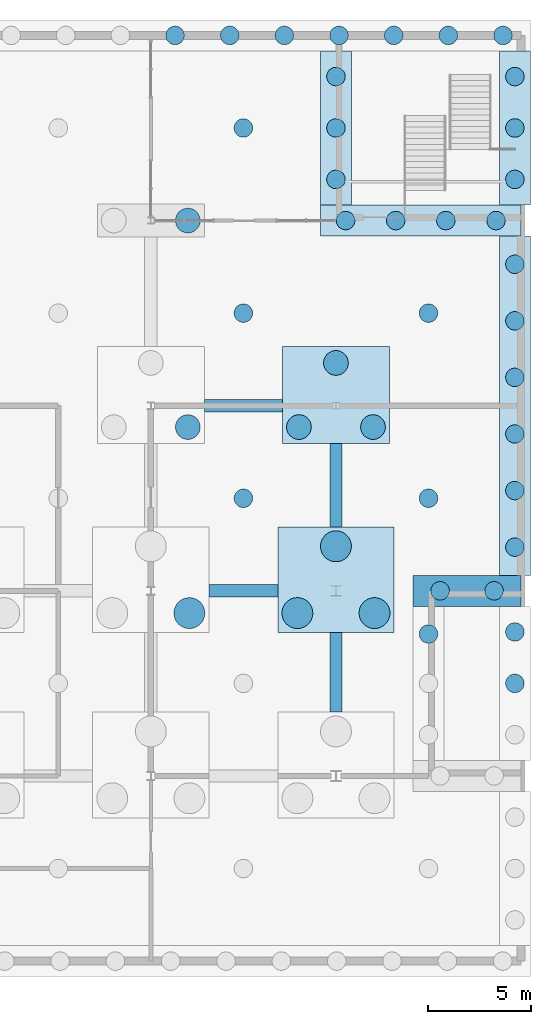
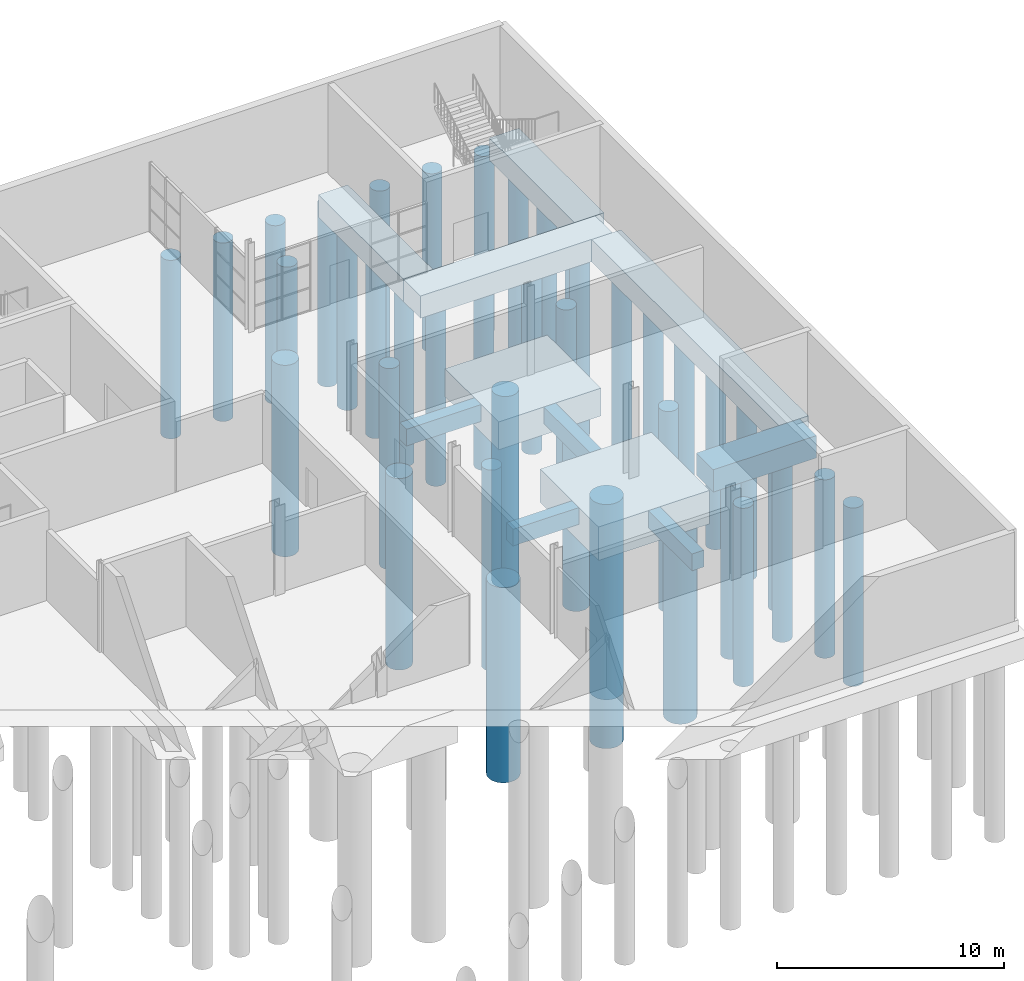
# One storey, part 3 of 17: 42 piles, 11 footings.
"""IFC4 building model written with IfcOpenShell, lengths in metres."""

from ifc_helpers import new_model, si_unit, direction, frame, origin, origin_2d, place, context, subcontext, project, spatial, polyline, circle, outline, extrude, material, material_profile, profile_set, type_object, element, save


model = new_model("IFC4")

# Units and contexts
model_context = context("Model", 3, precision=1e-05, world=origin(), true_north=direction((0.0, 1.0)))
body_context = subcontext(model_context, "Body", "Model", "MODEL_VIEW")
ifc_project = project(units=[si_unit("LENGTHUNIT", "METRE"), si_unit("AREAUNIT", "SQUARE_METRE"), si_unit("VOLUMEUNIT", "CUBIC_METRE"), si_unit("PLANEANGLEUNIT", "RADIAN"), si_unit("MASSUNIT", "GRAM", prefix="KILO")], contexts=[model_context])

# Site, building, storey
site_placement = place(None, origin())
site = spatial("IfcSite", under=ifc_project, at=site_placement, CompositionType="ELEMENT")
building_placement = place(site_placement, origin())
building = spatial("IfcBuilding", under=site, at=building_placement, Name="Halyard Row Museum", CompositionType="ELEMENT")
storey_placement = place(building_placement, frame((0.0, 0.0, -9.60009765625)))
storey = spatial("IfcBuildingStorey", under=building, at=storey_placement, Name="B2", CompositionType="ELEMENT", Elevation=-9.60009765625)

# Piles
ifc_material_1 = material(Name="Concrete 40 MPa", Category="concrete")
ifc_material_profile_1 = material_profile(ifc_material_1, circle(Radius=0.60009765625, at=origin_2d()), Name="Bored pile 1200 x 10.3")
ifc_profile_set_1 = profile_set([ifc_material_profile_1], Name="Concrete 40 MPa")
pile_type_1 = type_object("IfcPileType", Name="Bored pile 1200 x 10.3", PredefinedType="BORED", material=ifc_profile_set_1)
for number, where, z_axis, x_axis, name in (
    (1, (91.800048828125, 43.960693359375, -2.099853515625), (0.0, 0.0, -1.0), (1.0, 0.0, 0.0), "pile:B2:11F:2"),
    (2, (97.199951171875, 43.960693359375, -2.099853515625), (0.0, 0.0, -1.0), (1.0, 0.0, 0.0), "pile:B2:12F:1"),
    (3, (100.800048828125, 43.960693359375, -2.099853515625), (0.0, 0.0, -1.0), (1.0, 0.0, 0.0), "pile:B2:12F:2"),
    (4, (99.0, 47.078369140625, -2.099853515625), (0.0, 0.0, -1.0), (1.0, 0.0, 0.0), "pile:B2:12F:3"),
    (5, (91.800048828125, 54.0, -2.099853515625), (0.0, 0.0, -1.0), (1.0, 0.0, 0.0), "pile:B2:11G:2"),
):
    element("IfcPile", number, at=place(storey_placement, frame(where, z_axis=z_axis, x_axis=x_axis)), inside=storey, type_object=pile_type_1, Name=name, PredefinedType="BORED", context=body_context, shape_type="SweptSolid", body=[
        extrude(circle(Radius=0.60009765625, at=origin_2d()), origin(), (0.0, 0.0, 1.0), 10.300048828125),
    ])
ifc_material_2 = material(Name="Concrete 40 MPa", Category="concrete")
ifc_material_profile_2 = material_profile(ifc_material_2, circle(Radius=0.75, at=origin_2d()), Name="Bored pile 1500 x 10.5")
ifc_profile_set_2 = profile_set([ifc_material_profile_2], Name="Concrete 40 MPa")
pile_type_2 = type_object("IfcPileType", Name="Bored pile 1500 x 10.5", PredefinedType="BORED", material=ifc_profile_set_2)
for number, where, z_axis, x_axis, name in (
    (6, (91.875, 34.91748046875, -2.39990234375), (0.0, 0.0, -1.0), (1.0, 0.0, 0.0), "pile:B2:11E:2"),
    (7, (97.125, 34.91748046875, -2.39990234375), (0.0, 0.0, -1.0), (1.0, 0.0, 0.0), "pile:B2:12E:1"),
    (8, (100.875, 34.91748046875, -2.39990234375), (0.0, 0.0, -1.0), (1.0, 0.0, 0.0), "pile:B2:12E:2"),
    (9, (99.0, 38.1650390625, -2.39990234375), (0.0, 0.0, -1.0), (1.0, 0.0, 0.0), "pile:B2:12E:3"),
):
    element("IfcPile", number, at=place(storey_placement, frame(where, z_axis=z_axis, x_axis=x_axis)), inside=storey, type_object=pile_type_2, Name=name, PredefinedType="BORED", context=body_context, shape_type="SweptSolid", body=[
        extrude(circle(Radius=0.75, at=origin_2d()), origin(), (0.0, 0.0, 1.0), 10.5),
    ])
ifc_material_3 = material(Name="Concrete 40 MPa", Category="concrete")
ifc_material_profile_3 = material_profile(ifc_material_3, circle(Radius=0.449951171875, at=origin_2d()), Name="Bored pile 900 x 10.8")
ifc_profile_set_3 = profile_set([ifc_material_profile_3], Name="Concrete 40 MPa")
pile_type_3 = type_object("IfcPileType", Name="Bored pile 900 x 10.8", PredefinedType="BORED", material=ifc_profile_set_3)
for number, where, z_axis, x_axis, name in (
    (10, (94.5, 40.5, -0.599853515625), (0.0, 0.0, -1.0), (1.0, 0.0, 0.0), "pile:B2:ten20"),
    (11, (103.5, 40.5, -0.599853515625), (0.0, 0.0, -1.0), (1.0, 0.0, 0.0), "pile:B2:ten21"),
    (12, (94.5, 49.5, -0.599853515625), (0.0, 0.0, -1.0), (1.0, 0.0, 0.0), "pile:B2:ten23"),
    (13, (103.5, 49.5, -0.599853515625), (0.0, 0.0, -1.0), (1.0, 0.0, 0.0), "pile:B2:ten24"),
    (14, (94.5, 58.5, -0.599853515625), (0.0, 0.0, -1.0), (1.0, 0.0, 0.0), "pile:B2:ten26"),
):
    element("IfcPile", number, at=place(storey_placement, frame(where, z_axis=z_axis, x_axis=x_axis)), inside=storey, type_object=pile_type_3, Name=name, PredefinedType="BORED", context=body_context, shape_type="SweptSolid", body=[
        extrude(circle(Radius=0.449951171875, at=origin_2d()), origin(), (0.0, 0.0, 1.0), 10.800048828125),
    ])
ifc_material_4 = material(Name="Concrete 40 MPa", Category="concrete")
ifc_material_profile_4 = material_profile(ifc_material_4, circle(Radius=0.449951171875, at=origin_2d()), Name="Bored pile 900 x 9.6")
ifc_profile_set_4 = profile_set([ifc_material_profile_4], Name="Concrete 40 MPa")
pile_type_4 = type_object("IfcPileType", Name="Bored pile 900 x 9.6", PredefinedType="BORED", material=ifc_profile_set_4)
for number, where, z_axis, x_axis, name in (
    (15, (99.0, 56.0, -1.7998046875), (0.0, 0.0, -1.0), (1.0, 0.0, 0.0), "pile:B2:14:1"),
    (16, (99.0, 58.5, -1.7998046875), (0.0, 0.0, -1.0), (1.0, 0.0, 0.0), "pile:B2:14:2"),
    (17, (99.0, 61.0, -1.7998046875), (0.0, 0.0, -1.0), (1.0, 0.0, 0.0), "pile:B2:14:3"),
    (18, (103.5, 33.89990234375, -1.7998046875), (0.0, 0.0, -1.0), (1.0, 0.0, 0.0), "pile:B2:15:3"),
    (19, (107.699951171875, 31.5, -1.7998046875), (0.0, 0.0, -1.0), (1.0, 0.0, 0.0), "pile:B2:17:2"),
    (20, (107.699951171875, 34.0, -1.7998046875), (0.0, 0.0, -1.0), (1.0, 0.0, 0.0), "pile:B2:17:3"),
    (21, (107.699951171875, 38.125, -1.7998046875), (0.0, 0.0, -1.0), (1.0, 0.0, 0.0), "pile:B2:18:1"),
    (22, (107.699951171875, 40.875, -1.7998046875), (0.0, 0.0, -1.0), (1.0, 0.0, 0.0), "pile:B2:18:2"),
    (23, (107.699951171875, 43.625, -1.7998046875), (0.0, 0.0, -1.0), (1.0, 0.0, 0.0), "pile:B2:18:3"),
    (24, (107.699951171875, 46.375, -1.7998046875), (0.0, 0.0, -1.0), (1.0, 0.0, 0.0), "pile:B2:18:4"),
    (25, (107.699951171875, 49.125, -1.7998046875), (0.0, 0.0, -1.0), (1.0, 0.0, 0.0), "pile:B2:18:5"),
    (26, (107.699951171875, 51.875, -1.7998046875), (0.0, 0.0, -1.0), (1.0, 0.0, 0.0), "pile:B2:18:6"),
    (27, (107.699951171875, 56.0, -1.7998046875), (0.0, 0.0, -1.0), (1.0, 0.0, 0.0), "pile:B2:19:1"),
    (28, (107.699951171875, 58.5, -1.7998046875), (0.0, 0.0, -1.0), (1.0, 0.0, 0.0), "pile:B2:19:2"),
    (29, (107.699951171875, 61.0, -1.7998046875), (0.0, 0.0, -1.0), (1.0, 0.0, 0.0), "pile:B2:19:3"),
    (30, (104.0625, 36.0, -1.7998046875), (0.0, 0.0, -1.0), (1.0, 0.0, 0.0), "pile:B2:28:1"),
    (31, (106.6875, 36.0, -1.7998046875), (0.0, 0.0, -1.0), (1.0, 0.0, 0.0), "pile:B2:28:2"),
    (32, (99.46875, 54.0, -1.7998046875), (0.0, 0.0, -1.0), (1.0, 0.0, 0.0), "pile:B2:35:1"),
    (33, (101.90625, 54.0, -1.7998046875), (0.0, 0.0, -1.0), (1.0, 0.0, 0.0), "pile:B2:35:2"),
    (34, (104.34375, 54.0, -1.7998046875), (0.0, 0.0, -1.0), (1.0, 0.0, 0.0), "pile:B2:35:3"),
    (35, (106.78125, 54.0, -1.7998046875), (0.0, 0.0, -1.0), (1.0, 0.0, 0.0), "pile:B2:35:4"),
    (36, (91.178466796875, 63.0, -1.7998046875), (0.0, 0.0, -1.0), (1.0, 0.0, 0.0), "pile:B2:36:8"),
    (37, (93.835693359375, 63.0, -1.7998046875), (0.0, 0.0, -1.0), (1.0, 0.0, 0.0), "pile:B2:36:9"),
    (38, (96.492919921875, 63.0, -1.7998046875), (0.0, 0.0, -1.0), (1.0, 0.0, 0.0), "pile:B2:36:10"),
    (39, (99.14990234375, 63.0, -1.7998046875), (0.0, 0.0, -1.0), (1.0, 0.0, 0.0), "pile:B2:36:11"),
    (40, (101.80712890625, 63.0, -1.7998046875), (0.0, 0.0, -1.0), (1.0, 0.0, 0.0), "pile:B2:36:12"),
    (41, (104.46435546875, 63.0, -1.7998046875), (0.0, 0.0, -1.0), (1.0, 0.0, 0.0), "pile:B2:36:13"),
    (42, (107.121337890625, 63.0, -1.7998046875), (0.0, 0.0, -1.0), (1.0, 0.0, 0.0), "pile:B2:36:14"),
):
    element("IfcPile", number, at=place(storey_placement, frame(where, z_axis=z_axis, x_axis=x_axis)), inside=storey, type_object=pile_type_4, Name=name, PredefinedType="BORED", context=body_context, shape_type="SweptSolid", body=[
        extrude(circle(Radius=0.449951171875, at=origin_2d()), origin(), (0.0, 0.0, 1.0), 9.60009765625),
    ])

# Footings
ifc_material_5 = material(Name="Concrete 40 MPa", Category="concrete")
footing_type_1 = type_object("IfcFootingType", Name="Ground beam", PredefinedType="FOOTING_BEAM", material=ifc_material_5)
footing_1_placement = place(storey_placement, frame((0.0, 0.0, -1.5)))
element("IfcFooting", 43, at=footing_1_placement, inside=storey, type_object=footing_type_1, Name="Ground beam B2-017", PredefinedType="FOOTING_BEAM", context=body_context, shape_type="SweptSolid", body=[
    extrude(outline(polyline([(98.699951171875, 30.114990234375), (99.300048828125, 30.114990234375), (99.300048828125, 33.967529296875), (98.699951171875, 33.967529296875), (98.699951171875, 30.114990234375)])), origin(), (0.0, 0.0, 1.0), 0.900146484375),
])
footing_2_placement = place(storey_placement, frame((0.0, 0.0, -1.5)))
element("IfcFooting", 44, at=footing_2_placement, inside=storey, type_object=footing_type_1, Name="Ground beam B2-027", PredefinedType="FOOTING_BEAM", context=body_context, shape_type="SweptSolid", body=[
    extrude(outline(polyline([(92.824951171875, 35.699951171875), (96.175048828125, 35.699951171875), (96.175048828125, 36.300048828125), (92.824951171875, 36.300048828125), (92.824951171875, 35.699951171875)])), origin(), (0.0, 0.0, 1.0), 0.900146484375),
])
footing_3_placement = place(storey_placement, frame((0.0, 0.0, -1.5)))
element("IfcFooting", 45, at=footing_3_placement, inside=storey, type_object=footing_type_1, Name="Ground beam B2-028", PredefinedType="FOOTING_BEAM", context=body_context, shape_type="SweptSolid", body=[
    extrude(outline(polyline([(98.699951171875, 39.114990234375), (99.300048828125, 39.114990234375), (99.300048828125, 43.160888671875), (98.699951171875, 43.160888671875), (98.699951171875, 39.114990234375)])), origin(), (0.0, 0.0, 1.0), 0.900146484375),
])
footing_4_placement = place(storey_placement, frame((0.0, 0.0, -1.5)))
element("IfcFooting", 46, at=footing_4_placement, inside=storey, type_object=footing_type_1, Name="Ground beam B2-030", PredefinedType="FOOTING_BEAM", context=body_context, shape_type="SweptSolid", body=[
    extrude(outline(polyline([(92.60009765625, 44.699951171875), (96.39990234375, 44.699951171875), (96.39990234375, 45.300048828125), (92.60009765625, 45.300048828125), (92.60009765625, 44.699951171875)])), origin(), (0.0, 0.0, 1.0), 0.900146484375),
])
ifc_material_6 = material(Name="Concrete 40 MPa", Category="concrete")
footing_type_2 = type_object("IfcFootingType", Name="Pile cap 3 piles 1200", PredefinedType="PILE_CAP", material=ifc_material_6)
footing_5_placement = place(storey_placement, frame((0.0, 0.0, -2.099853515625)))
element("IfcFooting", 47, at=footing_5_placement, inside=storey, type_object=footing_type_2, Name="Pile cap 12F B2", PredefinedType="PILE_CAP", context=body_context, shape_type="SweptSolid", body=[
    extrude(outline(polyline([(96.39990234375, 43.160888671875), (101.60009765625, 43.160888671875), (101.60009765625, 47.87841796875), (96.39990234375, 47.87841796875), (96.39990234375, 43.160888671875)])), origin(), (0.0, 0.0, 1.0), 1.5),
])
ifc_material_7 = material(Name="Concrete 40 MPa", Category="concrete")
footing_type_3 = type_object("IfcFootingType", Name="Pile cap 3 piles 1500", PredefinedType="PILE_CAP", material=ifc_material_7)
footing_6_placement = place(storey_placement, frame((0.0, 0.0, -2.39990234375)))
element("IfcFooting", 48, at=footing_6_placement, inside=storey, type_object=footing_type_3, Name="Pile cap 12E B2", PredefinedType="PILE_CAP", context=body_context, shape_type="SweptSolid", body=[
    extrude(outline(polyline([(96.175048828125, 33.967529296875), (101.824951171875, 33.967529296875), (101.824951171875, 39.114990234375), (96.175048828125, 39.114990234375), (96.175048828125, 33.967529296875)])), origin(), (0.0, 0.0, 1.0), 1.800048828125),
])
ifc_material_8 = material(Name="Concrete 40 MPa", Category="concrete")
footing_type_4 = type_object("IfcFootingType", Name="Wall strip footing", PredefinedType="STRIP_FOOTING", material=ifc_material_8)
footing_7_placement = place(storey_placement, frame((0.0, 0.0, -1.7998046875)))
element("IfcFooting", 49, at=footing_7_placement, inside=storey, type_object=footing_type_4, Name="Wall strip footing B2-14", PredefinedType="STRIP_FOOTING", context=body_context, shape_type="SweptSolid", body=[
    extrude(outline(polyline([(98.25, 54.75), (99.75, 54.75), (99.75, 62.25), (98.25, 62.25), (98.25, 54.75)])), origin(), (0.0, 0.0, 1.0), 1.199951171875),
])
footing_8_placement = place(storey_placement, frame((0.0, 0.0, -1.7998046875)))
element("IfcFooting", 50, at=footing_8_placement, inside=storey, type_object=footing_type_4, Name="Wall strip footing B2-18", PredefinedType="STRIP_FOOTING", context=body_context, shape_type="SweptSolid", body=[
    extrude(outline(polyline([(106.949951171875, 36.75), (108.449951171875, 36.75), (108.449951171875, 53.25), (106.949951171875, 53.25), (106.949951171875, 36.75)])), origin(), (0.0, 0.0, 1.0), 1.199951171875),
])
footing_9_placement = place(storey_placement, frame((0.0, 0.0, -1.7998046875)))
element("IfcFooting", 51, at=footing_9_placement, inside=storey, type_object=footing_type_4, Name="Wall strip footing B2-19", PredefinedType="STRIP_FOOTING", context=body_context, shape_type="SweptSolid", body=[
    extrude(outline(polyline([(106.949951171875, 54.75), (108.449951171875, 54.75), (108.449951171875, 62.25), (106.949951171875, 62.25), (106.949951171875, 54.75)])), origin(), (0.0, 0.0, 1.0), 1.199951171875),
])
footing_10_placement = place(storey_placement, frame((0.0, 0.0, -1.7998046875)))
element("IfcFooting", 52, at=footing_10_placement, inside=storey, type_object=footing_type_4, Name="Wall strip footing B2-28", PredefinedType="STRIP_FOOTING", context=body_context, shape_type="SweptSolid", body=[
    extrude(outline(polyline([(102.75, 35.25), (108.0, 35.25), (108.0, 36.75), (102.75, 36.75), (102.75, 35.25)])), origin(), (0.0, 0.0, 1.0), 1.199951171875),
])
footing_11_placement = place(storey_placement, frame((0.0, 0.0, -1.7998046875)))
element("IfcFooting", 53, at=footing_11_placement, inside=storey, type_object=footing_type_4, Name="Wall strip footing B2-35", PredefinedType="STRIP_FOOTING", context=body_context, shape_type="SweptSolid", body=[
    extrude(outline(polyline([(98.25, 53.25), (108.0, 53.25), (108.0, 54.75), (98.25, 54.75), (98.25, 53.25)])), origin(), (0.0, 0.0, 1.0), 1.199951171875),
])

save(model, "model.ifc")
